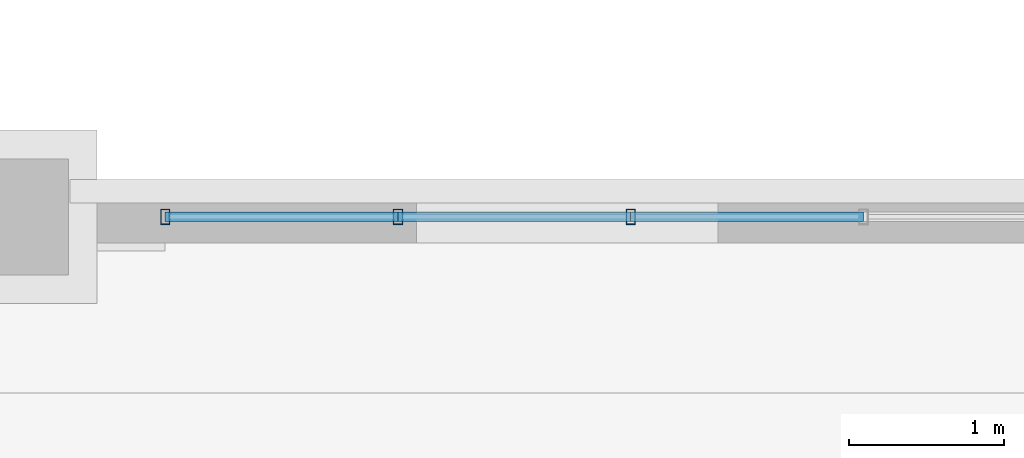
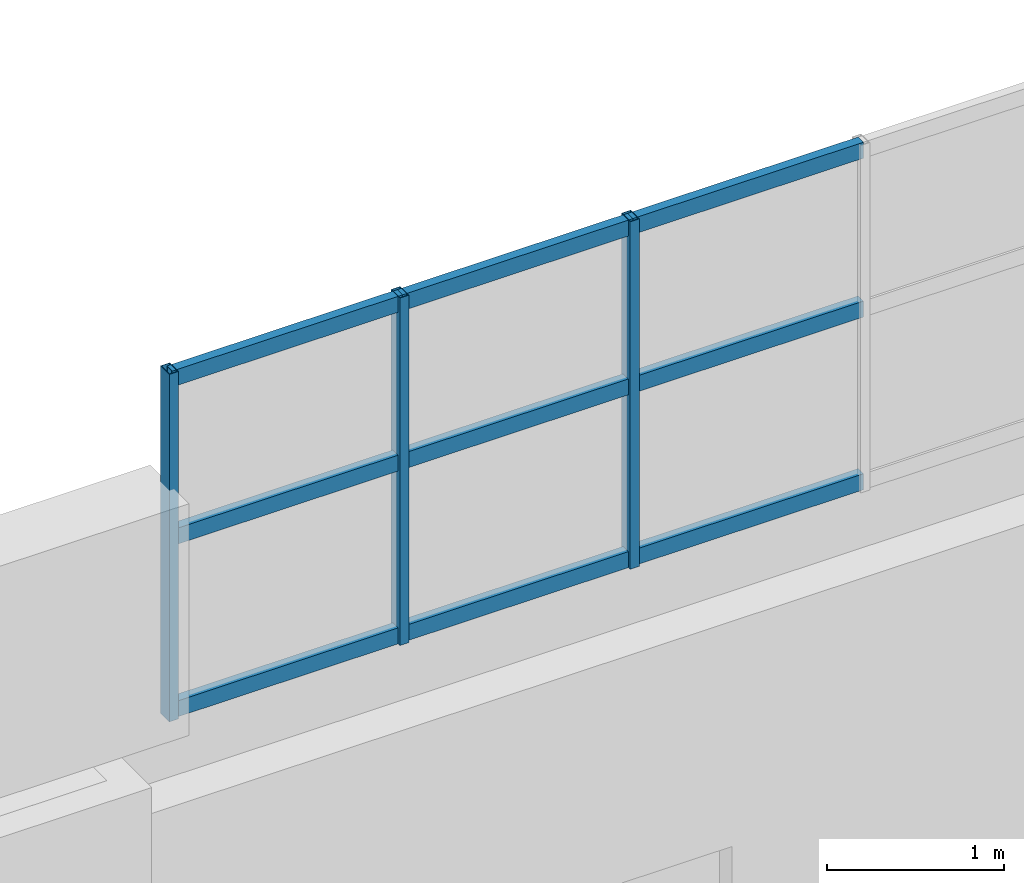
# One storey, part 48 of 174: 12 members, 1 element without a shape of its own.
"""IFC4 building model written with IfcOpenShell, lengths in metres."""

from ifc_helpers import new_model, si_unit, direction, frame, origin, origin_2d, place, context, subcontext, project, spatial, hollow_rectangle, extrude, material, material_profile, profile_set, type_object, element, aggregate, save


model = new_model("IFC4")

# Units and contexts
model_context = context("Model", 3, precision=1e-05, world=origin(), true_north=direction((0.0, 1.0)))
body_context = subcontext(model_context, "Body", "Model", "MODEL_VIEW")
ifc_project = project(units=[si_unit("LENGTHUNIT", "METRE"), si_unit("AREAUNIT", "SQUARE_METRE"), si_unit("VOLUMEUNIT", "CUBIC_METRE"), si_unit("PLANEANGLEUNIT", "RADIAN"), si_unit("MASSUNIT", "GRAM", prefix="KILO")], contexts=[model_context])

# Site, building, storey
site_placement = place(None, origin())
site = spatial("IfcSite", under=ifc_project, at=site_placement, CompositionType="ELEMENT")
building_placement = place(site_placement, origin())
building = spatial("IfcBuilding", under=site, at=building_placement, Name="Mavantir Sound Aquarium", CompositionType="ELEMENT")
storey_placement = place(building_placement, frame((0.0, 0.0, 5.39990234375)))
storey = spatial("IfcBuildingStorey", under=building, at=storey_placement, Name="L01", CompositionType="ELEMENT", Elevation=5.39990234375)

# Curtain wall, members
ifc_material_1 = material(Name="Anodised Marine Aluminium and Low-E Glass", Category="aluminium")
curtain_wall_type = type_object("IfcCurtainWallType", Name="CW-T18", PredefinedType="USERDEFINED", material=ifc_material_1)
curtain_wall_placement = place(storey_placement, origin())
curtain_wall = element("IfcCurtainWall", 1, at=curtain_wall_placement, inside=storey, type_object=curtain_wall_type, Name="L01 unitised curtain wall CW-18 185", ObjectType="UNITISED GLAZING", PredefinedType="USERDEFINED")
ifc_material_2 = material(Name="Anodised Marine Aluminium 6063-T6", Category="aluminium")
ifc_material_profile_1 = material_profile(ifc_material_2, hollow_rectangle(XDim=0.06005859375, YDim=0.10009765625, WallThickness=0.00390625, at=origin_2d()), Name="ALU-MULLION-100X60")
ifc_profile_set_1 = profile_set([ifc_material_profile_1], Name="Anodised Marine Aluminium 6063-T6")
member_type_1 = type_object("IfcMemberType", Name="CW-MUL-100", PredefinedType="MULLION", material=ifc_profile_set_1)
member_1_placement = place(storey_placement, frame((75.39990234375, 33.60009765625, 5.10009765625), z_axis=(0.0, 0.0, 1.0), x_axis=(1.0, 0.0, 0.0)))
member_1 = element("IfcMember", 2, at=member_1_placement, type_object=member_type_1, Name="CW-V7LUN-NW vertical mullion 1", PredefinedType="MULLION", context=body_context, shape_type="SweptSolid", body=[
    extrude(hollow_rectangle(XDim=0.06005859375, YDim=0.10009765625, WallThickness=0.00390625, at=origin_2d()), origin(), (0.0, 0.0, 1.0), 2.39990234375),
])
member_2_placement = place(storey_placement, frame((76.905029296875, 33.60009765625, 5.10009765625), z_axis=(0.0, 0.0, 1.0), x_axis=(1.0, 0.0, 0.0)))
member_2 = element("IfcMember", 3, at=member_2_placement, type_object=member_type_1, Name="CW-V7LUN-NW vertical mullion 2", PredefinedType="MULLION", context=body_context, shape_type="SweptSolid", body=[
    extrude(hollow_rectangle(XDim=0.06005859375, YDim=0.10009765625, WallThickness=0.00390625, at=origin_2d()), origin(), (0.0, 0.0, 1.0), 2.39990234375),
])
member_3_placement = place(storey_placement, frame((78.409912109375, 33.60009765625, 5.10009765625), z_axis=(0.0, 0.0, 1.0), x_axis=(1.0, 0.0, 0.0)))
member_3 = element("IfcMember", 4, at=member_3_placement, type_object=member_type_1, Name="CW-V7LUN-NW vertical mullion 3", PredefinedType="MULLION", context=body_context, shape_type="SweptSolid", body=[
    extrude(hollow_rectangle(XDim=0.06005859375, YDim=0.10009765625, WallThickness=0.00390625, at=origin_2d()), origin(), (0.0, 0.0, 1.0), 2.39990234375),
])
ifc_material_profile_2 = material_profile(ifc_material_2, hollow_rectangle(XDim=0.06005859375, YDim=0.110107421875, WallThickness=0.00390625, at=origin_2d()), Name="ALU-TRANSOM-110X60")
ifc_profile_set_2 = profile_set([ifc_material_profile_2], Name="Anodised Marine Aluminium 6063-T6")
member_type_2 = type_object("IfcMemberType", Name="CW-TRN-110", PredefinedType="USERDEFINED", material=ifc_profile_set_2)
member_4_placement = place(storey_placement, frame((75.39990234375, 33.60009765625, 5.155029296875), z_axis=(1.0, 0.0, 0.0), x_axis=(0.0, 1.0, 0.0)))
member_4 = element("IfcMember", 5, at=member_4_placement, type_object=member_type_2, Name="CW-V7LUN-NW transom 1.1", ObjectType="TRANSOM", PredefinedType="USERDEFINED", context=body_context, shape_type="SweptSolid", body=[
    extrude(hollow_rectangle(XDim=0.06005859375, YDim=0.110107421875, WallThickness=0.00390625, at=origin_2d()), origin(), (0.0, 0.0, 1.0), 1.505126953125),
])
member_5_placement = place(storey_placement, frame((75.39990234375, 33.60009765625, 6.34814453125), z_axis=(1.0, 0.0, 0.0), x_axis=(0.0, 1.0, 0.0)))
member_5 = element("IfcMember", 6, at=member_5_placement, type_object=member_type_2, Name="CW-V7LUN-NW transom 1.2", ObjectType="TRANSOM", PredefinedType="USERDEFINED", context=body_context, shape_type="SweptSolid", body=[
    extrude(hollow_rectangle(XDim=0.06005859375, YDim=0.110107421875, WallThickness=0.00390625, at=origin_2d()), origin(), (0.0, 0.0, 1.0), 1.505126953125),
])
member_6_placement = place(storey_placement, frame((75.39990234375, 33.60009765625, 7.445068359375), z_axis=(1.0, 0.0, 0.0), x_axis=(0.0, 1.0, 0.0)))
member_6 = element("IfcMember", 7, at=member_6_placement, type_object=member_type_2, Name="CW-V7LUN-NW transom 1.3", ObjectType="TRANSOM", PredefinedType="USERDEFINED", context=body_context, shape_type="SweptSolid", body=[
    extrude(hollow_rectangle(XDim=0.06005859375, YDim=0.110107421875, WallThickness=0.00390625, at=origin_2d()), origin(), (0.0, 0.0, 1.0), 1.505126953125),
])
member_7_placement = place(storey_placement, frame((76.905029296875, 33.60009765625, 5.155029296875), z_axis=(1.0, 0.0, 0.0), x_axis=(0.0, 1.0, 0.0)))
member_7 = element("IfcMember", 8, at=member_7_placement, type_object=member_type_2, Name="CW-V7LUN-NW transom 2.1", ObjectType="TRANSOM", PredefinedType="USERDEFINED", context=body_context, shape_type="SweptSolid", body=[
    extrude(hollow_rectangle(XDim=0.06005859375, YDim=0.110107421875, WallThickness=0.00390625, at=origin_2d()), origin(), (0.0, 0.0, 1.0), 1.5048828125),
])
member_8_placement = place(storey_placement, frame((76.905029296875, 33.60009765625, 6.34814453125), z_axis=(1.0, 0.0, 0.0), x_axis=(0.0, 1.0, 0.0)))
member_8 = element("IfcMember", 9, at=member_8_placement, type_object=member_type_2, Name="CW-V7LUN-NW transom 2.2", ObjectType="TRANSOM", PredefinedType="USERDEFINED", context=body_context, shape_type="SweptSolid", body=[
    extrude(hollow_rectangle(XDim=0.06005859375, YDim=0.110107421875, WallThickness=0.00390625, at=origin_2d()), origin(), (0.0, 0.0, 1.0), 1.5048828125),
])
member_9_placement = place(storey_placement, frame((76.905029296875, 33.60009765625, 7.445068359375), z_axis=(1.0, 0.0, 0.0), x_axis=(0.0, 1.0, 0.0)))
member_9 = element("IfcMember", 10, at=member_9_placement, type_object=member_type_2, Name="CW-V7LUN-NW transom 2.3", ObjectType="TRANSOM", PredefinedType="USERDEFINED", context=body_context, shape_type="SweptSolid", body=[
    extrude(hollow_rectangle(XDim=0.06005859375, YDim=0.110107421875, WallThickness=0.00390625, at=origin_2d()), origin(), (0.0, 0.0, 1.0), 1.5048828125),
])
member_10_placement = place(storey_placement, frame((78.409912109375, 33.60009765625, 5.155029296875), z_axis=(1.0, 0.0, 0.0), x_axis=(0.0, 1.0, 0.0)))
member_10 = element("IfcMember", 11, at=member_10_placement, type_object=member_type_2, Name="CW-V7LUN-NW transom 3.1", ObjectType="TRANSOM", PredefinedType="USERDEFINED", context=body_context, shape_type="SweptSolid", body=[
    extrude(hollow_rectangle(XDim=0.06005859375, YDim=0.110107421875, WallThickness=0.00390625, at=origin_2d()), origin(), (0.0, 0.0, 1.0), 1.505126953125),
])
member_11_placement = place(storey_placement, frame((78.409912109375, 33.60009765625, 6.34814453125), z_axis=(1.0, 0.0, 0.0), x_axis=(0.0, 1.0, 0.0)))
member_11 = element("IfcMember", 12, at=member_11_placement, type_object=member_type_2, Name="CW-V7LUN-NW transom 3.2", ObjectType="TRANSOM", PredefinedType="USERDEFINED", context=body_context, shape_type="SweptSolid", body=[
    extrude(hollow_rectangle(XDim=0.06005859375, YDim=0.110107421875, WallThickness=0.00390625, at=origin_2d()), origin(), (0.0, 0.0, 1.0), 1.505126953125),
])
member_12_placement = place(storey_placement, frame((78.409912109375, 33.60009765625, 7.445068359375), z_axis=(1.0, 0.0, 0.0), x_axis=(0.0, 1.0, 0.0)))
member_12 = element("IfcMember", 13, at=member_12_placement, type_object=member_type_2, Name="CW-V7LUN-NW transom 3.3", ObjectType="TRANSOM", PredefinedType="USERDEFINED", context=body_context, shape_type="SweptSolid", body=[
    extrude(hollow_rectangle(XDim=0.06005859375, YDim=0.110107421875, WallThickness=0.00390625, at=origin_2d()), origin(), (0.0, 0.0, 1.0), 1.505126953125),
])
aggregate(curtain_wall, [member_1, member_2, member_3, member_4, member_5, member_6, member_7, member_8, member_9, member_10, member_11, member_12])

save(model, "model.ifc")
